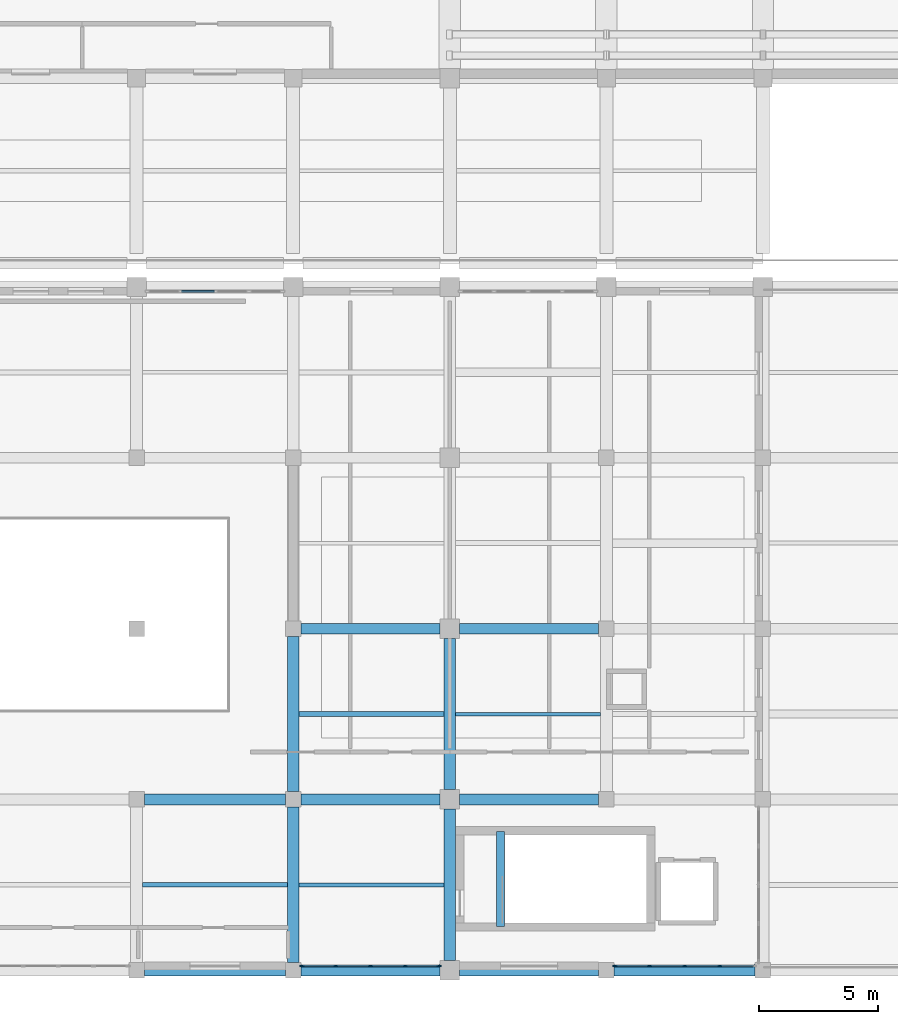
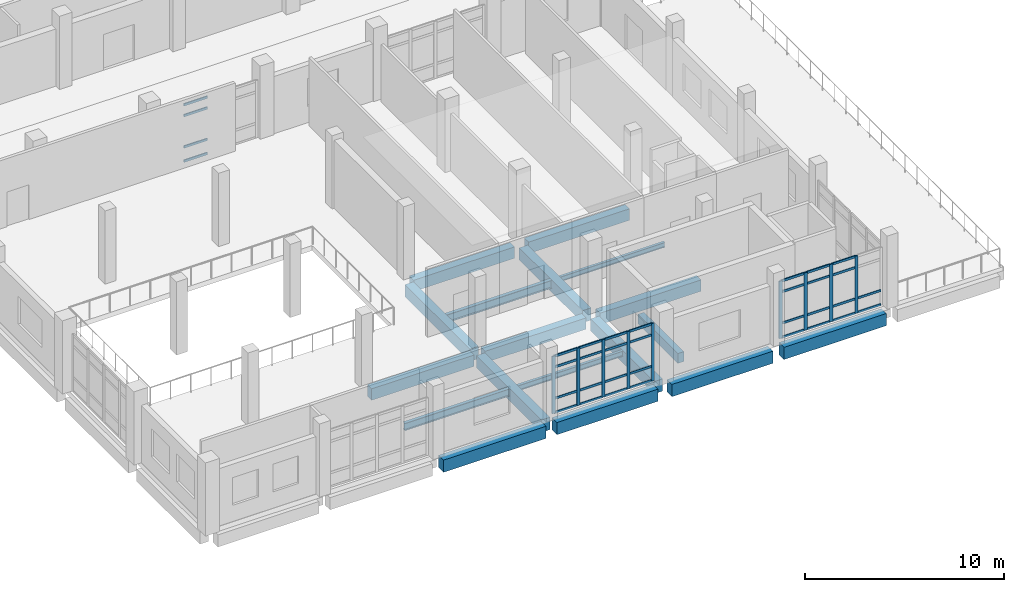
# One storey, part 5 of 54: 43 members, 18 beams, 3 elements without a shape of their own.
"""IFC4 building model written with IfcOpenShell, lengths in metres."""

from ifc_helpers import new_model, si_unit, direction, frame, origin, origin_2d, place, context, subcontext, project, spatial, rectangle, i_section, extrude, material, layer, layer_set, material_profile, profile_set, type_object, element, aggregate, save


model = new_model("IFC4")

# Units and contexts
model_context = context("Model", 3, precision=1e-05, world=origin(), true_north=direction((0.0, 1.0)))
body_context = subcontext(model_context, "Body", "Model", "MODEL_VIEW")
ifc_project = project(units=[si_unit("LENGTHUNIT", "METRE"), si_unit("AREAUNIT", "SQUARE_METRE"), si_unit("VOLUMEUNIT", "CUBIC_METRE"), si_unit("PLANEANGLEUNIT", "RADIAN"), si_unit("MASSUNIT", "GRAM", prefix="KILO")], contexts=[model_context])

# Site, building, storey
site_placement = place(None, origin())
site = spatial("IfcSite", under=ifc_project, at=site_placement, CompositionType="ELEMENT")
building_placement = place(site_placement, origin())
building = spatial("IfcBuilding", under=site, at=building_placement, Name="Kelarvand Opera House", CompositionType="ELEMENT")
storey_placement = place(building_placement, frame((0.0, 0.0, 15.0)))
storey = spatial("IfcBuildingStorey", under=building, at=storey_placement, Name="L03", CompositionType="ELEMENT", Elevation=15.0)

# Curtain wall, members
ifc_material_1 = material(Name="Thermally broken aluminium and low-E glazing", Category="aluminium")
ifc_layer_1 = layer(ifc_material_1, 0.179931640625, Name="Thermally broken aluminium and low-E glazing", Category="aluminium")
ifc_layer_set_1 = layer_set([ifc_layer_1], Name="Thermally broken aluminium and low-E glazing")
curtain_wall_type_1 = type_object("IfcCurtainWallType", Name="Unitised Low-E Curtain Wall 5930x3530 Mod 1350 CWF-60", PredefinedType="USERDEFINED", material=ifc_layer_set_1)
curtain_wall_1_placement = place(storey_placement, origin())
curtain_wall_1 = element("IfcCurtainWall", 1, at=curtain_wall_1_placement, inside=storey, type_object=curtain_wall_type_1, Name="V6 L03 Curtain Wall CWF-60 (238)", ObjectType="UNITISED CURTAIN WALL", PredefinedType="USERDEFINED")
ifc_material_2 = material(Name="Thermally broken anodised aluminium", Category="aluminium")
ifc_material_profile_1 = material_profile(ifc_material_2, rectangle(XDim=0.06494140625, YDim=0.179931640625, at=origin_2d()), Name="ALU MULLION 65x180", Category="aluminium")
ifc_profile_set_1 = profile_set([ifc_material_profile_1], Name="Thermally broken anodised aluminium")
member_type_1 = type_object("IfcMemberType", Name="Curtain Wall Mullion 65x180 Aluminium", PredefinedType="MULLION", material=ifc_profile_set_1)
member_1_placement = place(storey_placement, frame((126.782470703125, 9.179931640625, 0.0), z_axis=(0.0, 0.0, 1.0), x_axis=(0.0, -1.0, 0.0)))
member_1 = element("IfcMember", 2, at=member_1_placement, type_object=member_type_1, Name="CWF-60 mullion 2", PredefinedType="MULLION", context=body_context, shape_type="SweptSolid", body=[
    extrude(rectangle(XDim=0.06494140625, YDim=0.179931640625, at=origin_2d()), origin(), (0.0, 0.0, 1.0), 3.530029296875),
])
member_2_placement = place(storey_placement, frame((125.300048828125, 9.179931640625, 0.0), z_axis=(0.0, 0.0, 1.0), x_axis=(0.0, -1.0, 0.0)))
member_2 = element("IfcMember", 3, at=member_2_placement, type_object=member_type_1, Name="CWF-60 mullion 3", PredefinedType="MULLION", context=body_context, shape_type="SweptSolid", body=[
    extrude(rectangle(XDim=0.06494140625, YDim=0.179931640625, at=origin_2d()), origin(), (0.0, 0.0, 1.0), 3.530029296875),
])
member_3_placement = place(storey_placement, frame((123.8173828125, 9.179931640625, 0.0), z_axis=(0.0, 0.0, 1.0), x_axis=(0.0, -1.0, 0.0)))
member_3 = element("IfcMember", 4, at=member_3_placement, type_object=member_type_1, Name="CWF-60 mullion 4", PredefinedType="MULLION", context=body_context, shape_type="SweptSolid", body=[
    extrude(rectangle(XDim=0.06494140625, YDim=0.179931640625, at=origin_2d()), origin(), (0.0, 0.0, 1.0), 3.530029296875),
])
member_4_placement = place(storey_placement, frame((122.367431640625, 9.179931640625, 0.0), z_axis=(0.0, 0.0, 1.0), x_axis=(0.0, -1.0, 0.0)))
member_4 = element("IfcMember", 5, at=member_4_placement, type_object=member_type_1, Name="CWF-60 mullion 5", PredefinedType="MULLION", context=body_context, shape_type="SweptSolid", body=[
    extrude(rectangle(XDim=0.06494140625, YDim=0.179931640625, at=origin_2d()), origin(), (0.0, 0.0, 1.0), 3.530029296875),
])

ifc_layer_2 = layer(ifc_material_1, 0.179931640625, Name="Thermally broken aluminium and low-E glazing", Category="aluminium")
ifc_layer_set_2 = layer_set([ifc_layer_2], Name="Thermally broken aluminium and low-E glazing")
curtain_wall_type_2 = type_object("IfcCurtainWallType", Name="Unitised Low-E Curtain Wall 5845x3530 Mod 1350 CWF-61", PredefinedType="USERDEFINED", material=ifc_layer_set_2)
curtain_wall_2_placement = place(storey_placement, origin())
curtain_wall_2 = element("IfcCurtainWall", 6, at=curtain_wall_2_placement, inside=storey, type_object=curtain_wall_type_2, Name="V6 L03 Curtain Wall CWF-61 (239)", ObjectType="UNITISED CURTAIN WALL", PredefinedType="USERDEFINED")
member_5_placement = place(storey_placement, frame((114.947509765625, 9.179931640625, 0.0), z_axis=(0.0, 0.0, 1.0), x_axis=(0.0, -1.0, 0.0)))
member_5 = element("IfcMember", 7, at=member_5_placement, type_object=member_type_1, Name="CWF-61 mullion 1", PredefinedType="MULLION", context=body_context, shape_type="SweptSolid", body=[
    extrude(rectangle(XDim=0.06494140625, YDim=0.179931640625, at=origin_2d()), origin(), (0.0, 0.0, 1.0), 3.530029296875),
])
member_6_placement = place(storey_placement, frame((113.518798828125, 9.179931640625, 0.0), z_axis=(0.0, 0.0, 1.0), x_axis=(0.0, -1.0, 0.0)))
member_6 = element("IfcMember", 8, at=member_6_placement, type_object=member_type_1, Name="CWF-61 mullion 2", PredefinedType="MULLION", context=body_context, shape_type="SweptSolid", body=[
    extrude(rectangle(XDim=0.06494140625, YDim=0.179931640625, at=origin_2d()), origin(), (0.0, 0.0, 1.0), 3.530029296875),
])
member_7_placement = place(storey_placement, frame((112.0576171875, 9.179931640625, 0.0), z_axis=(0.0, 0.0, 1.0), x_axis=(0.0, -1.0, 0.0)))
member_7 = element("IfcMember", 9, at=member_7_placement, type_object=member_type_1, Name="CWF-61 mullion 3", PredefinedType="MULLION", context=body_context, shape_type="SweptSolid", body=[
    extrude(rectangle(XDim=0.06494140625, YDim=0.179931640625, at=origin_2d()), origin(), (0.0, 0.0, 1.0), 3.530029296875),
])
member_8_placement = place(storey_placement, frame((110.59619140625, 9.179931640625, 0.0), z_axis=(0.0, 0.0, 1.0), x_axis=(0.0, -1.0, 0.0)))
member_8 = element("IfcMember", 10, at=member_8_placement, type_object=member_type_1, Name="CWF-61 mullion 4", PredefinedType="MULLION", context=body_context, shape_type="SweptSolid", body=[
    extrude(rectangle(XDim=0.06494140625, YDim=0.179931640625, at=origin_2d()), origin(), (0.0, 0.0, 1.0), 3.530029296875),
])
member_9_placement = place(storey_placement, frame((109.16748046875, 9.179931640625, 0.0), z_axis=(0.0, 0.0, 1.0), x_axis=(0.0, -1.0, 0.0)))
member_9 = element("IfcMember", 11, at=member_9_placement, type_object=member_type_1, Name="CWF-61 mullion 5", PredefinedType="MULLION", context=body_context, shape_type="SweptSolid", body=[
    extrude(rectangle(XDim=0.06494140625, YDim=0.179931640625, at=origin_2d()), origin(), (0.0, 0.0, 1.0), 3.530029296875),
])

ifc_layer_3 = layer(ifc_material_1, 0.179931640625, Name="Thermally broken aluminium and low-E glazing", Category="aluminium")
ifc_layer_set_3 = layer_set([ifc_layer_3], Name="Thermally broken aluminium and low-E glazing")
curtain_wall_type_3 = type_object("IfcCurtainWallType", Name="Unitised Low-E Curtain Wall 5760x3530 Mod 1350 CWF-58", PredefinedType="USERDEFINED", material=ifc_layer_set_3)
curtain_wall_3_placement = place(storey_placement, origin())
curtain_wall_3 = element("IfcCurtainWall", 12, at=curtain_wall_3_placement, inside=storey, type_object=curtain_wall_type_3, Name="V6 L03 Curtain Wall CWF-58 (232)", ObjectType="UNITISED CURTAIN WALL", PredefinedType="USERDEFINED")
ifc_material_profile_2 = material_profile(ifc_material_2, rectangle(XDim=0.06494140625, YDim=0.139892578125, at=origin_2d()), Name="ALU TRANSOM 65x140", Category="aluminium")
ifc_profile_set_2 = profile_set([ifc_material_profile_2], Name="Thermally broken anodised aluminium")
member_type_2 = type_object("IfcMemberType", Name="Curtain Wall Transom 65x140 Aluminium", PredefinedType="USERDEFINED", material=ifc_profile_set_2)
member_10_placement = place(storey_placement, frame((104.092529296875, 37.6201171875, 0.032470703125), z_axis=(1.0, 0.0, 0.0), x_axis=(0.0, 1.0, 0.0)))
member_10 = element("IfcMember", 13, at=member_10_placement, type_object=member_type_2, Name="CWF-58 transom 2.1", ObjectType="TRANSOM", PredefinedType="USERDEFINED", context=body_context, shape_type="SweptSolid", body=[
    extrude(rectangle(XDim=0.06494140625, YDim=0.139892578125, at=origin_2d()), origin(), (0.0, 0.0, 1.0), 1.375),
])
member_11_placement = place(storey_placement, frame((104.092529296875, 37.6201171875, 0.89990234375), z_axis=(1.0, 0.0, 0.0), x_axis=(0.0, 1.0, 0.0)))
member_11 = element("IfcMember", 14, at=member_11_placement, type_object=member_type_2, Name="CWF-58 transom 2.2", ObjectType="TRANSOM", PredefinedType="USERDEFINED", context=body_context, shape_type="SweptSolid", body=[
    extrude(rectangle(XDim=0.06494140625, YDim=0.139892578125, at=origin_2d()), origin(), (0.0, 0.0, 1.0), 1.375),
])
member_12_placement = place(storey_placement, frame((104.092529296875, 37.6201171875, 2.830078125), z_axis=(1.0, 0.0, 0.0), x_axis=(0.0, 1.0, 0.0)))
member_12 = element("IfcMember", 15, at=member_12_placement, type_object=member_type_2, Name="CWF-58 transom 2.3", ObjectType="TRANSOM", PredefinedType="USERDEFINED", context=body_context, shape_type="SweptSolid", body=[
    extrude(rectangle(XDim=0.06494140625, YDim=0.139892578125, at=origin_2d()), origin(), (0.0, 0.0, 1.0), 1.375),
])
member_13_placement = place(storey_placement, frame((104.092529296875, 37.6201171875, 3.49755859375), z_axis=(1.0, 0.0, 0.0), x_axis=(0.0, 1.0, 0.0)))
member_13 = element("IfcMember", 16, at=member_13_placement, type_object=member_type_2, Name="CWF-58 transom 2.4", ObjectType="TRANSOM", PredefinedType="USERDEFINED", context=body_context, shape_type="SweptSolid", body=[
    extrude(rectangle(XDim=0.06494140625, YDim=0.139892578125, at=origin_2d()), origin(), (0.0, 0.0, 1.0), 1.375),
])
aggregate(curtain_wall_3, [member_10, member_11, member_12, member_13])

# Member
member_14_placement = place(storey_placement, frame((128.199951171875, 9.179931640625, 0.032470703125), z_axis=(-1.0, 0.0, 0.0), x_axis=(0.0, -1.0, 0.0)))
member_14 = element("IfcMember", 17, at=member_14_placement, type_object=member_type_2, Name="CWF-60 transom 1.1", ObjectType="TRANSOM", PredefinedType="USERDEFINED", context=body_context, shape_type="SweptSolid", body=[
    extrude(rectangle(XDim=0.06494140625, YDim=0.139892578125, at=origin_2d()), origin(), (0.0, 0.0, 1.0), 1.385009765625),
])

member_15_placement = place(storey_placement, frame((128.199951171875, 9.179931640625, 0.89990234375), z_axis=(-1.0, 0.0, 0.0), x_axis=(0.0, -1.0, 0.0)))
member_15 = element("IfcMember", 18, at=member_15_placement, type_object=member_type_2, Name="CWF-60 transom 1.2", ObjectType="TRANSOM", PredefinedType="USERDEFINED", context=body_context, shape_type="SweptSolid", body=[
    extrude(rectangle(XDim=0.06494140625, YDim=0.139892578125, at=origin_2d()), origin(), (0.0, 0.0, 1.0), 1.385009765625),
])

member_16_placement = place(storey_placement, frame((126.75, 9.179931640625, 0.032470703125), z_axis=(-1.0, 0.0, 0.0), x_axis=(0.0, -1.0, 0.0)))
member_16 = element("IfcMember", 19, at=member_16_placement, type_object=member_type_2, Name="CWF-60 transom 2.1", ObjectType="TRANSOM", PredefinedType="USERDEFINED", context=body_context, shape_type="SweptSolid", body=[
    extrude(rectangle(XDim=0.06494140625, YDim=0.139892578125, at=origin_2d()), origin(), (0.0, 0.0, 1.0), 1.41748046875),
])

member_17_placement = place(storey_placement, frame((126.75, 9.179931640625, 0.89990234375), z_axis=(-1.0, 0.0, 0.0), x_axis=(0.0, -1.0, 0.0)))
member_17 = element("IfcMember", 20, at=member_17_placement, type_object=member_type_2, Name="CWF-60 transom 2.2", ObjectType="TRANSOM", PredefinedType="USERDEFINED", context=body_context, shape_type="SweptSolid", body=[
    extrude(rectangle(XDim=0.06494140625, YDim=0.139892578125, at=origin_2d()), origin(), (0.0, 0.0, 1.0), 1.41748046875),
])

member_18_placement = place(storey_placement, frame((126.75, 9.179931640625, 2.830078125), z_axis=(-1.0, 0.0, 0.0), x_axis=(0.0, -1.0, 0.0)))
member_18 = element("IfcMember", 21, at=member_18_placement, type_object=member_type_2, Name="CWF-60 transom 2.3", ObjectType="TRANSOM", PredefinedType="USERDEFINED", context=body_context, shape_type="SweptSolid", body=[
    extrude(rectangle(XDim=0.06494140625, YDim=0.139892578125, at=origin_2d()), origin(), (0.0, 0.0, 1.0), 1.41748046875),
])

member_19_placement = place(storey_placement, frame((126.75, 9.179931640625, 3.49755859375), z_axis=(-1.0, 0.0, 0.0), x_axis=(0.0, -1.0, 0.0)))
member_19 = element("IfcMember", 22, at=member_19_placement, type_object=member_type_2, Name="CWF-60 transom 2.4", ObjectType="TRANSOM", PredefinedType="USERDEFINED", context=body_context, shape_type="SweptSolid", body=[
    extrude(rectangle(XDim=0.06494140625, YDim=0.139892578125, at=origin_2d()), origin(), (0.0, 0.0, 1.0), 1.41748046875),
])

member_20_placement = place(storey_placement, frame((125.267578125, 9.179931640625, 0.032470703125), z_axis=(-1.0, 0.0, 0.0), x_axis=(0.0, -1.0, 0.0)))
member_20 = element("IfcMember", 23, at=member_20_placement, type_object=member_type_2, Name="CWF-60 transom 3.1", ObjectType="TRANSOM", PredefinedType="USERDEFINED", context=body_context, shape_type="SweptSolid", body=[
    extrude(rectangle(XDim=0.06494140625, YDim=0.139892578125, at=origin_2d()), origin(), (0.0, 0.0, 1.0), 1.41748046875),
])

member_21_placement = place(storey_placement, frame((125.267578125, 9.179931640625, 0.89990234375), z_axis=(-1.0, 0.0, 0.0), x_axis=(0.0, -1.0, 0.0)))
member_21 = element("IfcMember", 24, at=member_21_placement, type_object=member_type_2, Name="CWF-60 transom 3.2", ObjectType="TRANSOM", PredefinedType="USERDEFINED", context=body_context, shape_type="SweptSolid", body=[
    extrude(rectangle(XDim=0.06494140625, YDim=0.139892578125, at=origin_2d()), origin(), (0.0, 0.0, 1.0), 1.41748046875),
])

member_22_placement = place(storey_placement, frame((125.267578125, 9.179931640625, 2.830078125), z_axis=(-1.0, 0.0, 0.0), x_axis=(0.0, -1.0, 0.0)))
member_22 = element("IfcMember", 25, at=member_22_placement, type_object=member_type_2, Name="CWF-60 transom 3.3", ObjectType="TRANSOM", PredefinedType="USERDEFINED", context=body_context, shape_type="SweptSolid", body=[
    extrude(rectangle(XDim=0.06494140625, YDim=0.139892578125, at=origin_2d()), origin(), (0.0, 0.0, 1.0), 1.41748046875),
])

member_23_placement = place(storey_placement, frame((125.267578125, 9.179931640625, 3.49755859375), z_axis=(-1.0, 0.0, 0.0), x_axis=(0.0, -1.0, 0.0)))
member_23 = element("IfcMember", 26, at=member_23_placement, type_object=member_type_2, Name="CWF-60 transom 3.4", ObjectType="TRANSOM", PredefinedType="USERDEFINED", context=body_context, shape_type="SweptSolid", body=[
    extrude(rectangle(XDim=0.06494140625, YDim=0.139892578125, at=origin_2d()), origin(), (0.0, 0.0, 1.0), 1.41748046875),
])

member_24_placement = place(storey_placement, frame((123.784912109375, 9.179931640625, 0.032470703125), z_axis=(-1.0, 0.0, 0.0), x_axis=(0.0, -1.0, 0.0)))
member_24 = element("IfcMember", 27, at=member_24_placement, type_object=member_type_2, Name="CWF-60 transom 4.1", ObjectType="TRANSOM", PredefinedType="USERDEFINED", context=body_context, shape_type="SweptSolid", body=[
    extrude(rectangle(XDim=0.06494140625, YDim=0.139892578125, at=origin_2d()), origin(), (0.0, 0.0, 1.0), 1.385009765625),
])

member_25_placement = place(storey_placement, frame((123.784912109375, 9.179931640625, 0.89990234375), z_axis=(-1.0, 0.0, 0.0), x_axis=(0.0, -1.0, 0.0)))
member_25 = element("IfcMember", 28, at=member_25_placement, type_object=member_type_2, Name="CWF-60 transom 4.2", ObjectType="TRANSOM", PredefinedType="USERDEFINED", context=body_context, shape_type="SweptSolid", body=[
    extrude(rectangle(XDim=0.06494140625, YDim=0.139892578125, at=origin_2d()), origin(), (0.0, 0.0, 1.0), 1.385009765625),
])

member_26_placement = place(storey_placement, frame((123.784912109375, 9.179931640625, 2.830078125), z_axis=(-1.0, 0.0, 0.0), x_axis=(0.0, -1.0, 0.0)))
member_26 = element("IfcMember", 29, at=member_26_placement, type_object=member_type_2, Name="CWF-60 transom 4.3", ObjectType="TRANSOM", PredefinedType="USERDEFINED", context=body_context, shape_type="SweptSolid", body=[
    extrude(rectangle(XDim=0.06494140625, YDim=0.139892578125, at=origin_2d()), origin(), (0.0, 0.0, 1.0), 1.385009765625),
])

member_27_placement = place(storey_placement, frame((123.784912109375, 9.179931640625, 3.49755859375), z_axis=(-1.0, 0.0, 0.0), x_axis=(0.0, -1.0, 0.0)))
member_27 = element("IfcMember", 30, at=member_27_placement, type_object=member_type_2, Name="CWF-60 transom 4.4", ObjectType="TRANSOM", PredefinedType="USERDEFINED", context=body_context, shape_type="SweptSolid", body=[
    extrude(rectangle(XDim=0.06494140625, YDim=0.139892578125, at=origin_2d()), origin(), (0.0, 0.0, 1.0), 1.385009765625),
])

aggregate(curtain_wall_1, [member_1, member_2, member_3, member_4, member_14, member_15, member_16, member_17, member_18, member_19, member_20, member_21, member_22, member_23, member_24, member_25, member_26, member_27])

member_28_placement = place(storey_placement, frame((114.9150390625, 9.179931640625, 0.032470703125), z_axis=(-1.0, 0.0, 0.0), x_axis=(0.0, -1.0, 0.0)))
member_28 = element("IfcMember", 31, at=member_28_placement, type_object=member_type_2, Name="CWF-61 transom 1.1", ObjectType="TRANSOM", PredefinedType="USERDEFINED", context=body_context, shape_type="SweptSolid", body=[
    extrude(rectangle(XDim=0.06494140625, YDim=0.139892578125, at=origin_2d()), origin(), (0.0, 0.0, 1.0), 1.36376953125),
])

member_29_placement = place(storey_placement, frame((114.9150390625, 9.179931640625, 0.89990234375), z_axis=(-1.0, 0.0, 0.0), x_axis=(0.0, -1.0, 0.0)))
member_29 = element("IfcMember", 32, at=member_29_placement, type_object=member_type_2, Name="CWF-61 transom 1.2", ObjectType="TRANSOM", PredefinedType="USERDEFINED", context=body_context, shape_type="SweptSolid", body=[
    extrude(rectangle(XDim=0.06494140625, YDim=0.139892578125, at=origin_2d()), origin(), (0.0, 0.0, 1.0), 1.36376953125),
])

member_30_placement = place(storey_placement, frame((114.9150390625, 9.179931640625, 2.830078125), z_axis=(-1.0, 0.0, 0.0), x_axis=(0.0, -1.0, 0.0)))
member_30 = element("IfcMember", 33, at=member_30_placement, type_object=member_type_2, Name="CWF-61 transom 1.3", ObjectType="TRANSOM", PredefinedType="USERDEFINED", context=body_context, shape_type="SweptSolid", body=[
    extrude(rectangle(XDim=0.06494140625, YDim=0.139892578125, at=origin_2d()), origin(), (0.0, 0.0, 1.0), 1.36376953125),
])

member_31_placement = place(storey_placement, frame((114.9150390625, 9.179931640625, 3.49755859375), z_axis=(-1.0, 0.0, 0.0), x_axis=(0.0, -1.0, 0.0)))
member_31 = element("IfcMember", 34, at=member_31_placement, type_object=member_type_2, Name="CWF-61 transom 1.4", ObjectType="TRANSOM", PredefinedType="USERDEFINED", context=body_context, shape_type="SweptSolid", body=[
    extrude(rectangle(XDim=0.06494140625, YDim=0.139892578125, at=origin_2d()), origin(), (0.0, 0.0, 1.0), 1.36376953125),
])

member_32_placement = place(storey_placement, frame((113.486328125, 9.179931640625, 0.032470703125), z_axis=(-1.0, 0.0, 0.0), x_axis=(0.0, -1.0, 0.0)))
member_32 = element("IfcMember", 35, at=member_32_placement, type_object=member_type_2, Name="CWF-61 transom 2.1", ObjectType="TRANSOM", PredefinedType="USERDEFINED", context=body_context, shape_type="SweptSolid", body=[
    extrude(rectangle(XDim=0.06494140625, YDim=0.139892578125, at=origin_2d()), origin(), (0.0, 0.0, 1.0), 1.396240234375),
])

member_33_placement = place(storey_placement, frame((113.486328125, 9.179931640625, 0.89990234375), z_axis=(-1.0, 0.0, 0.0), x_axis=(0.0, -1.0, 0.0)))
member_33 = element("IfcMember", 36, at=member_33_placement, type_object=member_type_2, Name="CWF-61 transom 2.2", ObjectType="TRANSOM", PredefinedType="USERDEFINED", context=body_context, shape_type="SweptSolid", body=[
    extrude(rectangle(XDim=0.06494140625, YDim=0.139892578125, at=origin_2d()), origin(), (0.0, 0.0, 1.0), 1.396240234375),
])

member_34_placement = place(storey_placement, frame((113.486328125, 9.179931640625, 2.830078125), z_axis=(-1.0, 0.0, 0.0), x_axis=(0.0, -1.0, 0.0)))
member_34 = element("IfcMember", 37, at=member_34_placement, type_object=member_type_2, Name="CWF-61 transom 2.3", ObjectType="TRANSOM", PredefinedType="USERDEFINED", context=body_context, shape_type="SweptSolid", body=[
    extrude(rectangle(XDim=0.06494140625, YDim=0.139892578125, at=origin_2d()), origin(), (0.0, 0.0, 1.0), 1.396240234375),
])

member_35_placement = place(storey_placement, frame((113.486328125, 9.179931640625, 3.49755859375), z_axis=(-1.0, 0.0, 0.0), x_axis=(0.0, -1.0, 0.0)))
member_35 = element("IfcMember", 38, at=member_35_placement, type_object=member_type_2, Name="CWF-61 transom 2.4", ObjectType="TRANSOM", PredefinedType="USERDEFINED", context=body_context, shape_type="SweptSolid", body=[
    extrude(rectangle(XDim=0.06494140625, YDim=0.139892578125, at=origin_2d()), origin(), (0.0, 0.0, 1.0), 1.396240234375),
])

member_36_placement = place(storey_placement, frame((112.02490234375, 9.179931640625, 0.032470703125), z_axis=(-1.0, 0.0, 0.0), x_axis=(0.0, -1.0, 0.0)))
member_36 = element("IfcMember", 39, at=member_36_placement, type_object=member_type_2, Name="CWF-61 transom 3.1", ObjectType="TRANSOM", PredefinedType="USERDEFINED", context=body_context, shape_type="SweptSolid", body=[
    extrude(rectangle(XDim=0.06494140625, YDim=0.139892578125, at=origin_2d()), origin(), (0.0, 0.0, 1.0), 1.396240234375),
])

member_37_placement = place(storey_placement, frame((112.02490234375, 9.179931640625, 0.89990234375), z_axis=(-1.0, 0.0, 0.0), x_axis=(0.0, -1.0, 0.0)))
member_37 = element("IfcMember", 40, at=member_37_placement, type_object=member_type_2, Name="CWF-61 transom 3.2", ObjectType="TRANSOM", PredefinedType="USERDEFINED", context=body_context, shape_type="SweptSolid", body=[
    extrude(rectangle(XDim=0.06494140625, YDim=0.139892578125, at=origin_2d()), origin(), (0.0, 0.0, 1.0), 1.396240234375),
])

member_38_placement = place(storey_placement, frame((112.02490234375, 9.179931640625, 2.830078125), z_axis=(-1.0, 0.0, 0.0), x_axis=(0.0, -1.0, 0.0)))
member_38 = element("IfcMember", 41, at=member_38_placement, type_object=member_type_2, Name="CWF-61 transom 3.3", ObjectType="TRANSOM", PredefinedType="USERDEFINED", context=body_context, shape_type="SweptSolid", body=[
    extrude(rectangle(XDim=0.06494140625, YDim=0.139892578125, at=origin_2d()), origin(), (0.0, 0.0, 1.0), 1.396240234375),
])

member_39_placement = place(storey_placement, frame((112.02490234375, 9.179931640625, 3.49755859375), z_axis=(-1.0, 0.0, 0.0), x_axis=(0.0, -1.0, 0.0)))
member_39 = element("IfcMember", 42, at=member_39_placement, type_object=member_type_2, Name="CWF-61 transom 3.4", ObjectType="TRANSOM", PredefinedType="USERDEFINED", context=body_context, shape_type="SweptSolid", body=[
    extrude(rectangle(XDim=0.06494140625, YDim=0.139892578125, at=origin_2d()), origin(), (0.0, 0.0, 1.0), 1.396240234375),
])

member_40_placement = place(storey_placement, frame((110.563720703125, 9.179931640625, 0.032470703125), z_axis=(-1.0, 0.0, 0.0), x_axis=(0.0, -1.0, 0.0)))
member_40 = element("IfcMember", 43, at=member_40_placement, type_object=member_type_2, Name="CWF-61 transom 4.1", ObjectType="TRANSOM", PredefinedType="USERDEFINED", context=body_context, shape_type="SweptSolid", body=[
    extrude(rectangle(XDim=0.06494140625, YDim=0.139892578125, at=origin_2d()), origin(), (0.0, 0.0, 1.0), 1.36376953125),
])

member_41_placement = place(storey_placement, frame((110.563720703125, 9.179931640625, 0.89990234375), z_axis=(-1.0, 0.0, 0.0), x_axis=(0.0, -1.0, 0.0)))
member_41 = element("IfcMember", 44, at=member_41_placement, type_object=member_type_2, Name="CWF-61 transom 4.2", ObjectType="TRANSOM", PredefinedType="USERDEFINED", context=body_context, shape_type="SweptSolid", body=[
    extrude(rectangle(XDim=0.06494140625, YDim=0.139892578125, at=origin_2d()), origin(), (0.0, 0.0, 1.0), 1.36376953125),
])

member_42_placement = place(storey_placement, frame((110.563720703125, 9.179931640625, 2.830078125), z_axis=(-1.0, 0.0, 0.0), x_axis=(0.0, -1.0, 0.0)))
member_42 = element("IfcMember", 45, at=member_42_placement, type_object=member_type_2, Name="CWF-61 transom 4.3", ObjectType="TRANSOM", PredefinedType="USERDEFINED", context=body_context, shape_type="SweptSolid", body=[
    extrude(rectangle(XDim=0.06494140625, YDim=0.139892578125, at=origin_2d()), origin(), (0.0, 0.0, 1.0), 1.36376953125),
])

member_43_placement = place(storey_placement, frame((110.563720703125, 9.179931640625, 3.49755859375), z_axis=(-1.0, 0.0, 0.0), x_axis=(0.0, -1.0, 0.0)))
member_43 = element("IfcMember", 46, at=member_43_placement, type_object=member_type_2, Name="CWF-61 transom 4.4", ObjectType="TRANSOM", PredefinedType="USERDEFINED", context=body_context, shape_type="SweptSolid", body=[
    extrude(rectangle(XDim=0.06494140625, YDim=0.139892578125, at=origin_2d()), origin(), (0.0, 0.0, 1.0), 1.36376953125),
])

aggregate(curtain_wall_2, [member_5, member_6, member_7, member_8, member_9, member_28, member_29, member_30, member_31, member_32, member_33, member_34, member_35, member_36, member_37, member_38, member_39, member_40, member_41, member_42, member_43])

# Beams
ifc_material_3 = material(Name="Concrete C35/45", Category="concrete")
ifc_material_profile_3 = material_profile(ifc_material_3, rectangle(XDim=0.35009765625, YDim=0.60009765625, at=origin_2d()), Name="RC 350x600", Category="concrete")
ifc_profile_set_3 = profile_set([ifc_material_profile_3], Name="Concrete C35/45")
beam_type_1 = type_object("IfcBeamType", Name="Structural Beam RC 350x600 BM-RC350x600", PredefinedType="BEAM", material=ifc_profile_set_3)
beam_1_placement = place(storey_placement, frame((117.5400390625, 10.85009765625, -0.52001953125), z_axis=(0.0, 1.0, 0.0), x_axis=(-1.0, 0.0, 0.0)))
element("IfcBeam", 47, at=beam_1_placement, inside=storey, type_object=beam_type_1, Name="C8 Stair Landing Support Beam L03", PredefinedType="BEAM", context=body_context, shape_type="SweptSolid", body=[
    extrude(rectangle(XDim=0.35009765625, YDim=0.60009765625, at=origin_2d()), origin(), (0.0, 0.0, 1.0), 4.0),
])
ifc_material_4 = material(Name="Concrete C40/50", Category="concrete")
ifc_material_profile_4 = material_profile(ifc_material_4, rectangle(XDim=0.449951171875, YDim=0.699951171875, at=origin_2d()), Name="RC 450x700", Category="concrete")
ifc_profile_set_4 = profile_set([ifc_material_profile_4], Name="Concrete C40/50")
beam_type_2 = type_object("IfcBeamType", Name="Structural Beam RC 450x700 BM-RC450x700", PredefinedType="BEAM", material=ifc_profile_set_4)
beam_2_placement = place(storey_placement, frame((102.52490234375, 16.199951171875, -0.64990234375), z_axis=(1.0, 0.0, 0.0), x_axis=(0.0, 1.0, 0.0)))
element("IfcBeam", 48, at=beam_2_placement, inside=storey, type_object=beam_type_2, Name="V6 L03 Beam BM-RC450x700", PredefinedType="BEAM", context=body_context, shape_type="SweptSolid", body=[
    extrude(rectangle(XDim=0.449951171875, YDim=0.699951171875, at=origin_2d()), origin(), (0.0, 0.0, 1.0), 5.9501953125),
])
for number, where, z_axis, x_axis, name in (
    (49, (109.125, 16.199951171875, -0.64990234375), (1.0, 0.0, 0.0), (0.0, 1.0, 0.0), "V6 L03 Beam BM-RC450x700"),
    (50, (115.81005859375, 16.199951171875, -0.64990234375), (1.0, 0.0, 0.0), (0.0, 1.0, 0.0), "V6 L03 Beam BM-RC450x700"),
    (51, (109.125, 23.39990234375, -0.64990234375), (1.0, 0.0, 0.0), (0.0, 1.0, 0.0), "V6 L03 Beam BM-RC450x700"),
    (52, (115.81005859375, 23.39990234375, -0.64990234375), (1.0, 0.0, 0.0), (0.0, 1.0, 0.0), "V6 L03 Beam BM-RC450x700"),
):
    element("IfcBeam", number, at=place(storey_placement, frame(where, z_axis=z_axis, x_axis=x_axis)), inside=storey, type_object=beam_type_2, Name=name, PredefinedType="BEAM", context=body_context, shape_type="SweptSolid", body=[
        extrude(rectangle(XDim=0.449951171875, YDim=0.699951171875, at=origin_2d()), origin(), (0.0, 0.0, 1.0), 5.864990234375),
    ])
ifc_material_profile_5 = material_profile(ifc_material_4, rectangle(XDim=0.5, YDim=0.75, at=origin_2d()), Name="RC 500x750", Category="concrete")
ifc_profile_set_5 = profile_set([ifc_material_profile_5], Name="Concrete C40/50")
beam_type_3 = type_object("IfcBeamType", Name="Structural Beam RC 500x750 BM-RC500x750", PredefinedType="BEAM", material=ifc_profile_set_5)
for number, where, z_axis, x_axis, name in (
    (53, (108.800048828125, 9.324951171875, -0.675048828125), (0.0, 1.0, 0.0), (-1.0, 0.0, 0.0), "V6 L03 Beam BM-RC500x750"),
    (54, (108.800048828125, 16.52490234375, -0.675048828125), (0.0, 1.0, 0.0), (-1.0, 0.0, 0.0), "V6 L03 Beam BM-RC500x750"),
):
    element("IfcBeam", number, at=place(storey_placement, frame(where, z_axis=z_axis, x_axis=x_axis)), inside=storey, type_object=beam_type_3, Name=name, PredefinedType="BEAM", context=body_context, shape_type="SweptSolid", body=[
        extrude(rectangle(XDim=0.5, YDim=0.75, at=origin_2d()), origin(), (0.0, 0.0, 1.0), 6.550048828125),
    ])
beam_3_placement = place(storey_placement, frame((115.39990234375, 9.409912109375, -0.675048828125), z_axis=(0.0, 1.0, 0.0), x_axis=(-1.0, 0.0, 0.0)))
element("IfcBeam", 55, at=beam_3_placement, inside=storey, type_object=beam_type_3, Name="V6 L03 Beam BM-RC500x750", PredefinedType="BEAM", context=body_context, shape_type="SweptSolid", body=[
    extrude(rectangle(XDim=0.5, YDim=0.75, at=origin_2d()), origin(), (0.0, 0.0, 1.0), 6.380126953125),
])
beam_4_placement = place(storey_placement, frame((115.39990234375, 16.610107421875, -0.675048828125), z_axis=(0.0, 1.0, 0.0), x_axis=(-1.0, 0.0, 0.0)))
element("IfcBeam", 56, at=beam_4_placement, inside=storey, type_object=beam_type_3, Name="V6 L03 Beam BM-RC500x750", PredefinedType="BEAM", context=body_context, shape_type="SweptSolid", body=[
    extrude(rectangle(XDim=0.5, YDim=0.75, at=origin_2d()), origin(), (0.0, 0.0, 1.0), 6.3798828125),
])
ifc_material_5 = material(Name="Steel S355", Category="steel")
ifc_material_profile_6 = material_profile(ifc_material_5, i_section(OverallWidth=0.14990234375, OverallDepth=0.300048828125, WebThickness=0.007080078125, FlangeThickness=0.0107421875, at=origin_2d()), Name="IPE 300", Category="steel")
ifc_profile_set_6 = profile_set([ifc_material_profile_6], Name="Steel S355")
beam_type_4 = type_object("IfcBeamType", Name="Structural Joist IPE 300 JS-IPE300", PredefinedType="JOIST", material=ifc_profile_set_6)
beam_5_placement = place(storey_placement, frame((115.64990234375, 19.800048828125, -0.449951171875), z_axis=(1.0, 0.0, 0.0), x_axis=(0.0, 1.0, 0.0)))
element("IfcBeam", 57, at=beam_5_placement, inside=storey, type_object=beam_type_4, Name="V6 L03 Beam JS-IPE300", PredefinedType="JOIST", context=body_context, shape_type="SweptSolid", body=[
    extrude(i_section(OverallWidth=0.14990234375, OverallDepth=0.300048828125, WebThickness=0.007080078125, FlangeThickness=0.0107421875, at=origin_2d()), origin(), (0.0, 0.0, 1.0), 6.10009765625),
])
ifc_material_profile_7 = material_profile(ifc_material_5, i_section(OverallWidth=0.159912109375, OverallDepth=0.330078125, WebThickness=0.007568359375, FlangeThickness=0.011474609375, at=origin_2d()), Name="IPE 330", Category="steel")
ifc_profile_set_7 = profile_set([ifc_material_profile_7], Name="Steel S355")
beam_type_5 = type_object("IfcBeamType", Name="Structural Joist IPE 330 JS-IPE330", PredefinedType="JOIST", material=ifc_profile_set_7)
beam_6_placement = place(storey_placement, frame((109.050048828125, 12.60009765625, -0.465087890625), z_axis=(1.0, 0.0, 0.0), x_axis=(0.0, 1.0, 0.0)))
element("IfcBeam", 58, at=beam_6_placement, inside=storey, type_object=beam_type_5, Name="V6 L03 Beam JS-IPE330", PredefinedType="JOIST", context=body_context, shape_type="SweptSolid", body=[
    extrude(i_section(OverallWidth=0.159912109375, OverallDepth=0.330078125, WebThickness=0.007568359375, FlangeThickness=0.011474609375, at=origin_2d()), origin(), (0.0, 0.0, 1.0), 6.099853515625),
])
ifc_material_profile_8 = material_profile(ifc_material_5, i_section(OverallWidth=0.18994140625, OverallDepth=0.449951171875, WebThickness=0.009521484375, FlangeThickness=0.0146484375, at=origin_2d()), Name="IPE 450", Category="steel")
ifc_profile_set_8 = profile_set([ifc_material_profile_8], Name="Steel S355")
beam_type_6 = type_object("IfcBeamType", Name="Structural Joist IPE 450 JS-IPE450", PredefinedType="JOIST", material=ifc_profile_set_8)
beam_7_placement = place(storey_placement, frame((102.449951171875, 12.60009765625, -0.52490234375), z_axis=(1.0, 0.0, 0.0), x_axis=(0.0, 1.0, 0.0)))
element("IfcBeam", 59, at=beam_7_placement, inside=storey, type_object=beam_type_6, Name="V6 L03 Beam JS-IPE450", PredefinedType="JOIST", context=body_context, shape_type="SweptSolid", body=[
    extrude(i_section(OverallWidth=0.18994140625, OverallDepth=0.449951171875, WebThickness=0.009521484375, FlangeThickness=0.0146484375, at=origin_2d()), origin(), (0.0, 0.0, 1.0), 6.10009765625),
])
ifc_material_profile_9 = material_profile(ifc_material_5, i_section(OverallWidth=0.199951171875, OverallDepth=0.5, WebThickness=0.01025390625, FlangeThickness=0.01611328125, at=origin_2d()), Name="IPE 500", Category="steel")
ifc_profile_set_9 = profile_set([ifc_material_profile_9], Name="Steel S355")
beam_type_7 = type_object("IfcBeamType", Name="Structural Joist IPE 500 JS-IPE500", PredefinedType="JOIST", material=ifc_profile_set_9)
beam_8_placement = place(storey_placement, frame((109.050048828125, 19.800048828125, -0.550048828125), z_axis=(1.0, 0.0, 0.0), x_axis=(0.0, 1.0, 0.0)))
element("IfcBeam", 60, at=beam_8_placement, inside=storey, type_object=beam_type_7, Name="V6 L03 Beam JS-IPE500", PredefinedType="JOIST", context=body_context, shape_type="SweptSolid", body=[
    extrude(i_section(OverallWidth=0.199951171875, OverallDepth=0.5, WebThickness=0.01025390625, FlangeThickness=0.01611328125, at=origin_2d()), origin(), (0.0, 0.0, 1.0), 6.099853515625),
])
ifc_material_profile_10 = material_profile(ifc_material_4, rectangle(XDim=0.5, YDim=0.75, at=origin_2d()), Name="RC 500x750", Category="concrete")
ifc_profile_set_10 = profile_set([ifc_material_profile_10], Name="Concrete C40/50")
beam_type_8 = type_object("IfcBeamType", Name="Structural Spandrel RC 500x750 SP-RC500x750E", PredefinedType="SPANDREL", material=ifc_profile_set_10)
beam_9_placement = place(storey_placement, frame((102.52490234375, 9.0, -0.675048828125), z_axis=(1.0, 0.0, 0.0), x_axis=(0.0, 1.0, 0.0)))
element("IfcBeam", 61, at=beam_9_placement, inside=storey, type_object=beam_type_8, Name="V6 L03 Beam SP-RC500x750E", PredefinedType="SPANDREL", context=body_context, shape_type="SweptSolid", body=[
    extrude(rectangle(XDim=0.5, YDim=0.75, at=origin_2d()), origin(), (0.0, 0.0, 1.0), 5.9501953125),
])
for number, where, z_axis, x_axis, name in (
    (62, (109.125, 9.0, -0.675048828125), (1.0, 0.0, 0.0), (0.0, 1.0, 0.0), "V6 L03 Beam SP-RC500x750E"),
    (63, (115.81005859375, 9.0, -0.675048828125), (1.0, 0.0, 0.0), (0.0, 1.0, 0.0), "V6 L03 Beam SP-RC500x750E"),
):
    element("IfcBeam", number, at=place(storey_placement, frame(where, z_axis=z_axis, x_axis=x_axis)), inside=storey, type_object=beam_type_8, Name=name, PredefinedType="SPANDREL", context=body_context, shape_type="SweptSolid", body=[
        extrude(rectangle(XDim=0.5, YDim=0.75, at=origin_2d()), origin(), (0.0, 0.0, 1.0), 5.864990234375),
    ])
beam_10_placement = place(storey_placement, frame((122.324951171875, 9.0, -0.675048828125), z_axis=(1.0, 0.0, 0.0), x_axis=(0.0, 1.0, 0.0)))
element("IfcBeam", 64, at=beam_10_placement, inside=storey, type_object=beam_type_8, Name="V6 L03 Beam SP-RC500x750E", PredefinedType="SPANDREL", context=body_context, shape_type="SweptSolid", body=[
    extrude(rectangle(XDim=0.5, YDim=0.75, at=origin_2d()), origin(), (0.0, 0.0, 1.0), 5.949951171875),
])

save(model, "model.ifc")
